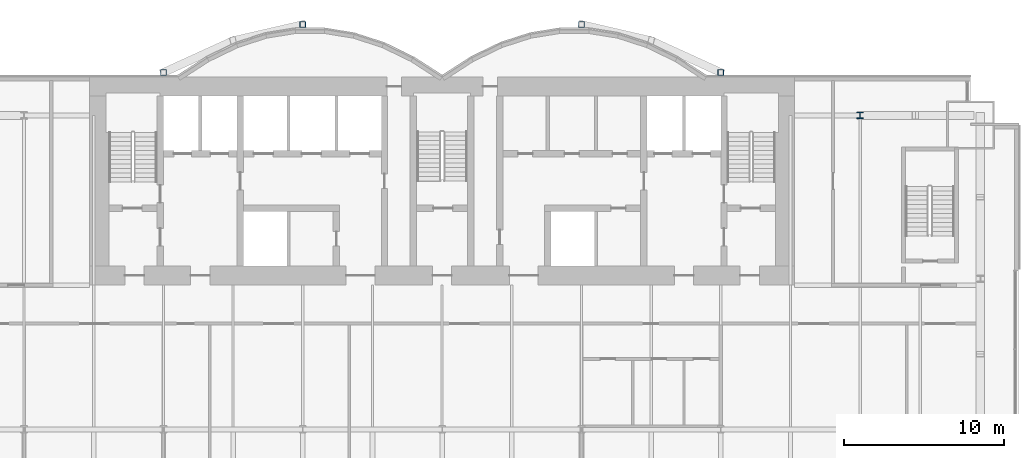
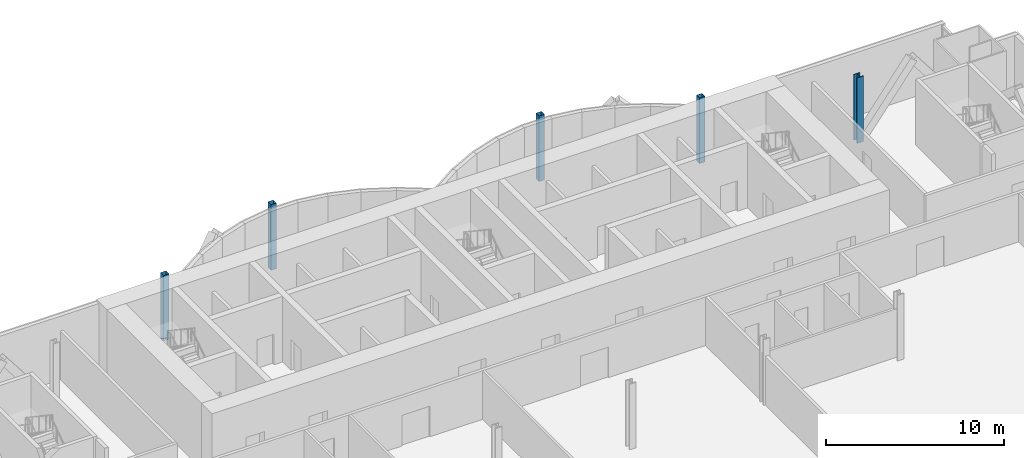
# One storey, part 2 of 21: 5 columns.
"""IFC4 building model written with IfcOpenShell, lengths in metres."""

from ifc_helpers import new_model, si_unit, direction, frame, origin, origin_2d, place, context, subcontext, project, spatial, hollow_rectangle, i_section, extrude, material, material_profile, profile_set, type_object, element, save


model = new_model("IFC4")

# Units and contexts
model_context = context("Model", 3, precision=1e-05, world=origin(), true_north=direction((0.0, 1.0)))
body_context = subcontext(model_context, "Body", "Model", "MODEL_VIEW")
ifc_project = project(units=[si_unit("LENGTHUNIT", "METRE"), si_unit("AREAUNIT", "SQUARE_METRE"), si_unit("VOLUMEUNIT", "CUBIC_METRE"), si_unit("PLANEANGLEUNIT", "RADIAN"), si_unit("MASSUNIT", "GRAM", prefix="KILO")], contexts=[model_context])

# Site, building, storey
site_placement = place(None, origin())
site = spatial("IfcSite", under=ifc_project, at=site_placement, CompositionType="ELEMENT")
building_placement = place(site_placement, origin())
building = spatial("IfcBuilding", under=site, at=building_placement, Name="Bicima Exchange Tower", CompositionType="ELEMENT")
storey_placement = place(building_placement, frame((0.0, 0.0, 75.5)))
storey = spatial("IfcBuildingStorey", under=building, at=storey_placement, Name="L15", CompositionType="ELEMENT", Elevation=75.5)

# Columns
ifc_material_1 = material(Name="Steel ASTM A992 Gr 50", Category="steel")
ifc_material_profile_1 = material_profile(ifc_material_1, i_section(OverallWidth=0.406494140625, OverallDepth=0.41650390625, WebThickness=0.030029296875, FlangeThickness=0.048095703125, at=origin_2d()))
ifc_profile_set_1 = profile_set([ifc_material_profile_1], Name="Steel ASTM A992 Gr 50")
column_type_1 = type_object("IfcColumnType", Name="Perimeter column W14x257", PredefinedType="COLUMN", material=ifc_profile_set_1)
column_placement = place(storey_placement, frame((26.10009765625, -2.39990234375, 0.0), z_axis=(0.0, 0.0, 1.0), x_axis=(1.0, 0.0, 0.0)))
element("IfcColumn", 1, at=column_placement, inside=storey, type_object=column_type_1, Name="Perimeter column grav+26.1r", PredefinedType="COLUMN", context=body_context, shape_type="SweptSolid", body=[
    extrude(i_section(OverallWidth=0.406494140625, OverallDepth=0.41650390625, WebThickness=0.030029296875, FlangeThickness=0.048095703125, at=origin_2d()), origin(), (0.0, 0.0, 1.0), 4.5),
])
ifc_material_2 = material(Name="Steel ASTM A572 Gr 50", Category="steel")
ifc_material_profile_2 = material_profile(ifc_material_2, hollow_rectangle(XDim=0.355712890625, YDim=0.355712890625, WallThickness=0.01171875, at=origin_2d()))
ifc_profile_set_2 = profile_set([ifc_material_profile_2], Name="Steel ASTM A572 Gr 50")
column_type_2 = type_object("IfcColumnType", Name="Rear pilaster HSS14x14x1/2", PredefinedType="COLUMN", material=ifc_profile_set_2)
for number, where, z_axis, x_axis, name in (
    (2, (-8.699951171875, 3.26904296875, 0.0), (0.0, 0.0, 1.0), (1.0, 0.0, 0.0), "Rear pilaster rexo-8.7r"),
    (3, (-17.39990234375, 0.278076171875, 0.0), (0.0, 0.0, 1.0), (1.0, 0.0, 0.0), "Rear pilaster rexo-17.4r"),
    (4, (8.699951171875, 3.26904296875, 0.0), (0.0, 0.0, 1.0), (1.0, 0.0, 0.0), "Rear pilaster rexo+8.7r"),
    (5, (17.39990234375, 0.278076171875, 0.0), (0.0, 0.0, 1.0), (1.0, 0.0, 0.0), "Rear pilaster rexo+17.4r"),
):
    element("IfcColumn", number, at=place(storey_placement, frame(where, z_axis=z_axis, x_axis=x_axis)), inside=storey, type_object=column_type_2, Name=name, PredefinedType="COLUMN", context=body_context, shape_type="SweptSolid", body=[
        extrude(hollow_rectangle(XDim=0.355712890625, YDim=0.355712890625, WallThickness=0.01171875, at=origin_2d()), origin(), (0.0, 0.0, 1.0), 4.5),
    ])

save(model, "model.ifc")
